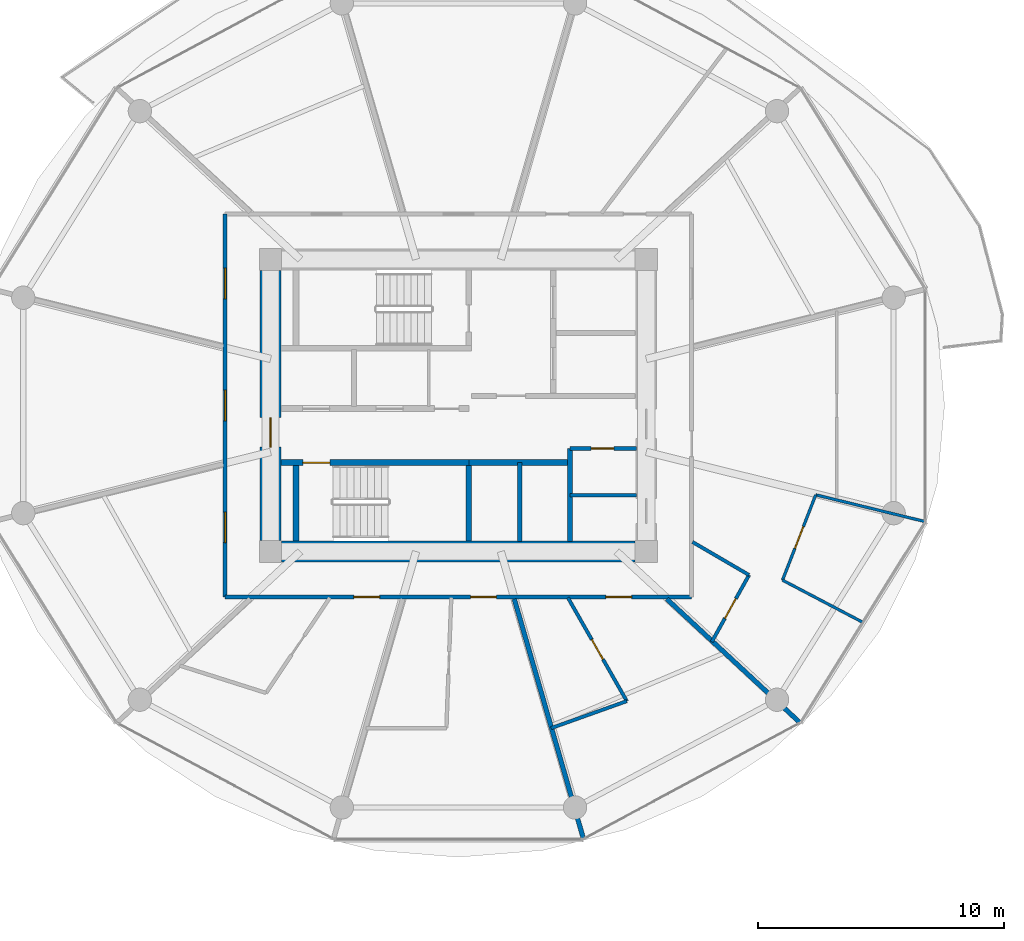
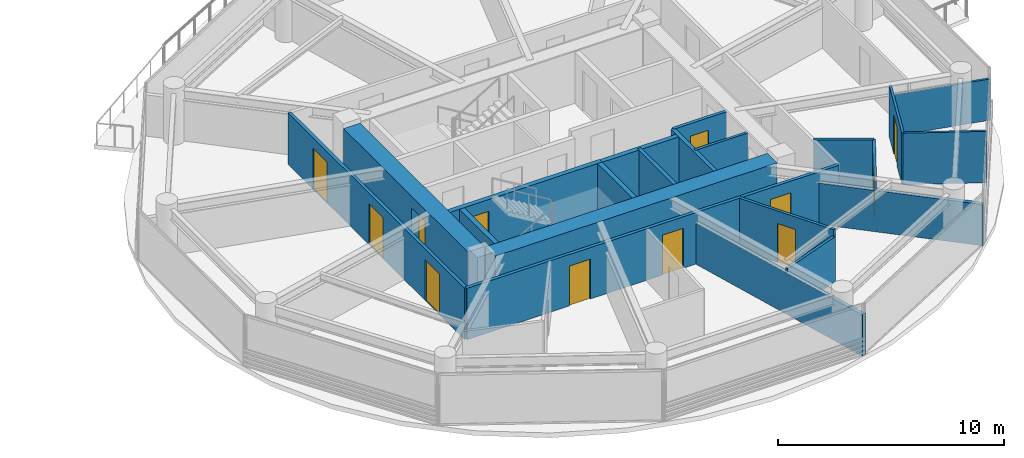
# One storey, part 18 of 26: 21 walls, 12 doors, 12 openings.
"""IFC4 building model written with IfcOpenShell, lengths in metres."""

from ifc_helpers import new_model, si_unit, direction, frame, frame_2d, origin, place, context, subcontext, project, spatial, rectangle, extrude, source, transform, mapped, material, layer, layer_set, type_object, type_shapes, element, fill, save


model = new_model("IFC4")

# Units and contexts
model_context = context("Model", 3, precision=1e-05, world=origin(), true_north=direction((0.0, 1.0)))
body_context = subcontext(model_context, "Body", "Model", "MODEL_VIEW")
ifc_project = project(units=[si_unit("LENGTHUNIT", "METRE"), si_unit("AREAUNIT", "SQUARE_METRE"), si_unit("VOLUMEUNIT", "CUBIC_METRE"), si_unit("PLANEANGLEUNIT", "RADIAN"), si_unit("MASSUNIT", "GRAM", prefix="KILO")], contexts=[model_context])

# Site, building, storey
site_placement = place(None, origin())
site = spatial("IfcSite", under=ifc_project, at=site_placement, CompositionType="ELEMENT")
building_placement = place(site_placement, origin())
building = spatial("IfcBuilding", under=site, at=building_placement, Name="Norrkilde Senior Care Towers", CompositionType="ELEMENT")
storey_placement = place(building_placement, frame((0.0, 0.0, 55.14990234375)))
storey = spatial("IfcBuildingStorey", under=building, at=storey_placement, Name="L16", CompositionType="ELEMENT", Elevation=55.14990234375)

# Wall
ifc_material_1 = material(Name="Concrete C60/75", Category="concrete")
ifc_layer_1 = layer(ifc_material_1, 0.85009765625)
ifc_layer_set_1 = layer_set([ifc_layer_1], Name="Concrete C60/75")
wall_type_1 = type_object("IfcWallType", Name="Core Shear Wall Z1 850", PredefinedType="SHEAR", material=ifc_layer_set_1)
shared_shape_1 = source(origin(), body_context, "Body", "SweptSolid", [
    extrude(rectangle(XDim=14.39990234375, YDim=0.85009765625, at=frame_2d((7.199951171875, 0.0))), origin(), (0.0, 0.0, 1.0), 2.7900390625),
])
wall_1_placement = place(storey_placement, frame((35.199951171875, -5.949951171875, 0.0), z_axis=(0.0, 0.0, 1.0), x_axis=(-1.0, 0.0, 0.0)))
element("IfcWall", 1, at=wall_1_placement, inside=storey, type_object=wall_type_1, Name="L16 Core E South Shear Wall", PredefinedType="SHEAR", context=body_context, shape_type="MappedRepresentation", body=[
    mapped(shared_shape_1, transform((0.0, 0.0, 0.0), x_axis=(1.0, 0.0, 0.0), y_axis=(0.0, 1.0, 0.0), z_axis=(0.0, 0.0, 1.0), scale=1.0)),
])

# Wall, opening, door
shared_shape_2 = source(origin(), body_context, "Body", "SweptSolid", [
    extrude(rectangle(XDim=11.0, YDim=0.85009765625, at=frame_2d((5.5, 0.0))), origin(), (0.0, 0.0, 1.0), 2.7900390625),
])
type_shapes(wall_type_1, [shared_shape_1, shared_shape_2])
wall_2_placement = place(storey_placement, frame((20.35009765625, -5.5, 0.0), z_axis=(0.0, 0.0, 1.0), x_axis=(0.0, 1.0, 0.0)))
wall_2 = element("IfcWall", 2, at=wall_2_placement, inside=storey, type_object=wall_type_1, Name="L16 Core E West Shear Wall", PredefinedType="SHEAR", context=body_context, shape_type="MappedRepresentation", body=[
    mapped(shared_shape_2, transform((0.0, 0.0, 0.0), x_axis=(1.0, 0.0, 0.0), y_axis=(0.0, 1.0, 0.0), z_axis=(0.0, 0.0, 1.0), scale=1.0)),
])
opening_1_placement = place(wall_2_placement, frame((3.800048828125, 0.0, 0.0)))
opening_1 = element("IfcOpeningElement", 3, at=opening_1_placement, cuts=wall_2, Name="Opening D-04", PredefinedType="OPENING", context=body_context, shape_type="SweptSolid", body=[
    extrude(rectangle(XDim=1.199951171875, YDim=2.14990234375, at=frame_2d((0.60009765625, 1.074951171875))), frame((0.0, 0.43505859375, 0.0), z_axis=(0.0, -1.0, 0.0), x_axis=(1.0, 0.0, 0.0)), (0.0, 0.0, 1.0), 0.8701171875),
])
ifc_material_2 = material(Name="Galvanised Painted Steel", Category="steel")
door_type_1 = type_object("IfcDoorType", Name="Firefighting Lobby Fire Door 1200x2150", OperationType="NOTDEFINED", PredefinedType="DOOR", material=ifc_material_2)
shared_shape_3 = source(origin(), body_context, "Body", "SweptSolid", [
    extrude(rectangle(XDim=1.199951171875, YDim=2.14990234375, at=frame_2d((0.60009765625, 1.074951171875))), frame((0.0, 0.02490234375, 0.0), z_axis=(0.0, -1.0, 0.0), x_axis=(1.0, 0.0, 0.0)), (0.0, 0.0, 1.0), 0.050048828125),
])
type_shapes(door_type_1, [shared_shape_3])
door_1_placement = place(opening_1_placement, frame((1.199951171875, 0.0, 0.0), z_axis=(0.0, 0.0, 1.0), x_axis=(-1.0, 0.0, 0.0)))
door_1 = element("IfcDoor", 4, at=door_1_placement, inside=storey, type_object=door_type_1, Name="L16 Core E West Portal Door", OperationType="SINGLE_SWING_LEFT", OverallHeight=2.14990234375, OverallWidth=1.199951171875, PredefinedType="DOOR", context=body_context, shape_type="MappedRepresentation", body=[
    mapped(shared_shape_3, transform((0.0, 0.0, 0.0), x_axis=(1.0, 0.0, 0.0), y_axis=(0.0, 1.0, 0.0), z_axis=(0.0, 0.0, 1.0), scale=1.0)),
])
fill(opening_1, door_1)

ifc_material_3 = material(Name="Concrete C45/55", Category="concrete")
ifc_layer_2 = layer(ifc_material_3, 0.239990234375)
ifc_layer_set_2 = layer_set([ifc_layer_2], Name="Concrete C45/55")
wall_type_2 = type_object("IfcWallType", Name="Shaft and Stair Enclosure Wall 240", PredefinedType="PARTITIONING", material=ifc_layer_set_2)
shared_shape_4 = source(origin(), body_context, "Body", "SweptSolid", [
    extrude(rectangle(XDim=7.76513671875, YDim=0.239990234375, at=frame_2d((3.882568359375, 0.0))), origin(), (0.0, 0.0, 1.0), 2.7900390625),
])
wall_3_placement = place(storey_placement, frame((20.77490234375, -2.330078125, 0.0), z_axis=(0.0, 0.0, 1.0), x_axis=(1.0, 0.0, 0.0)))
wall_3 = element("IfcWall", 5, at=wall_3_placement, inside=storey, type_object=wall_type_2, Name="WL-INT-L16-E-ST2N", PredefinedType="PARTITIONING", context=body_context, shape_type="MappedRepresentation", body=[
    mapped(shared_shape_4, transform((0.0, 0.0, 0.0), x_axis=(1.0, 0.0, 0.0), y_axis=(0.0, 1.0, 0.0), z_axis=(0.0, 0.0, 1.0), scale=1.0)),
])
opening_2_placement = place(wall_3_placement, frame((0.885009765625, 0.0, 0.0)))
opening_2 = element("IfcOpeningElement", 6, at=opening_2_placement, cuts=wall_3, Name="Opening D-03", PredefinedType="OPENING", context=body_context, shape_type="SweptSolid", body=[
    extrude(rectangle(XDim=1.10009765625, YDim=2.14990234375, at=frame_2d((0.550048828125, 1.074951171875))), frame((0.0, 0.1298828125, 0.0), z_axis=(0.0, -1.0, 0.0), x_axis=(1.0, 0.0, 0.0)), (0.0, 0.0, 1.0), 0.260009765625),
])
door_type_2 = type_object("IfcDoorType", Name="Stairwell Protected Fire Door 1100x2150", OperationType="NOTDEFINED", PredefinedType="DOOR", material=ifc_material_2)
shared_shape_5 = source(origin(), body_context, "Body", "SweptSolid", [
    extrude(rectangle(XDim=1.10009765625, YDim=2.14990234375, at=frame_2d((0.550048828125, 1.074951171875))), frame((0.0, 0.02490234375, 0.0), z_axis=(0.0, -1.0, 0.0), x_axis=(1.0, 0.0, 0.0)), (0.0, 0.0, 1.0), 0.050048828125),
])
type_shapes(door_type_2, [shared_shape_5])
door_2_placement = place(opening_2_placement, frame((1.10009765625, 0.0, 0.0), z_axis=(0.0, 0.0, 1.0), x_axis=(-1.0, 0.0, 0.0)))
door_2 = element("IfcDoor", 7, at=door_2_placement, inside=storey, type_object=door_type_2, Name="L16 Stair E2 Fire Door", OperationType="SINGLE_SWING_RIGHT", OverallHeight=2.14990234375, OverallWidth=1.10009765625, PredefinedType="DOOR", context=body_context, shape_type="MappedRepresentation", body=[
    mapped(shared_shape_5, transform((0.0, 0.0, 0.0), x_axis=(1.0, 0.0, 0.0), y_axis=(0.0, 1.0, 0.0), z_axis=(0.0, 0.0, 1.0), scale=1.0)),
])
fill(opening_2, door_2)

# Walls
shared_shape_6 = source(origin(), body_context, "Body", "SweptSolid", [
    extrude(rectangle(XDim=3.074951171875, YDim=0.239990234375, at=frame_2d((1.53759765625, 0.0))), origin(), (0.0, 0.0, 1.0), 2.7900390625),
])
type_shapes(wall_type_2, [shared_shape_4, shared_shape_6])
for number, where, z_axis, x_axis, name in (
    (8, (21.3798828125, -5.52490234375, 0.0), (0.0, 0.0, 1.0), (0.0, 1.0, 0.0), "WL-INT-L16-E-ST2W"),
    (9, (28.419921875, -5.52490234375, 0.0), (0.0, 0.0, 1.0), (0.0, 1.0, 0.0), "WL-INT-L16-E-ST2E"),
):
    element("IfcWall", number, at=place(storey_placement, frame(where, z_axis=z_axis, x_axis=x_axis)), inside=storey, type_object=wall_type_2, Name=name, PredefinedType="PARTITIONING", context=body_context, shape_type="MappedRepresentation", body=[
        mapped(shared_shape_6, transform((0.0, 0.0, 0.0), x_axis=(1.0, 0.0, 0.0), y_axis=(0.0, 1.0, 0.0), z_axis=(0.0, 0.0, 1.0), scale=1.0)),
    ])
ifc_layer_3 = layer(ifc_material_3, 0.199951171875)
ifc_layer_set_3 = layer_set([ifc_layer_3], Name="Concrete C45/55")
wall_type_3 = type_object("IfcWallType", Name="Shaft Division and Plant Partition 200", PredefinedType="PARTITIONING", material=ifc_layer_set_3)
shared_shape_7 = source(origin(), body_context, "Body", "SweptSolid", [
    extrude(rectangle(XDim=3.800048828125, YDim=0.199951171875, at=frame_2d((1.89990234375, 0.0))), origin(), (0.0, 0.0, 1.0), 2.775146484375),
])
type_shapes(wall_type_3, [shared_shape_7])
wall_4_placement = place(storey_placement, frame((32.550048828125, -5.550048828125, 0.0), z_axis=(0.0, 0.0, 1.0), x_axis=(0.0, 1.0, 0.0)))
element("IfcWall", 10, at=wall_4_placement, inside=storey, type_object=wall_type_3, Name="WL-INT-L16-E-PKBE", PredefinedType="PARTITIONING", context=body_context, shape_type="MappedRepresentation", body=[
    mapped(shared_shape_7, transform((0.0, 0.0, 0.0), x_axis=(1.0, 0.0, 0.0), y_axis=(0.0, 1.0, 0.0), z_axis=(0.0, 0.0, 1.0), scale=1.0)),
])
ifc_layer_4 = layer(ifc_material_3, 0.239990234375)
ifc_layer_set_4 = layer_set([ifc_layer_4], Name="Concrete C45/55")
wall_type_4 = type_object("IfcWallType", Name="Lift and Plant Rated Enclosure Partition 240", PredefinedType="PARTITIONING", material=ifc_layer_set_4)
shared_shape_8 = source(origin(), body_context, "Body", "SweptSolid", [
    extrude(rectangle(XDim=4.130126953125, YDim=0.239990234375, at=frame_2d((2.06494140625, 0.0))), origin(), (0.0, 0.0, 1.0), 2.775146484375),
])
type_shapes(wall_type_4, [shared_shape_8])
wall_5_placement = place(storey_placement, frame((28.419921875, -2.330078125, 0.0), z_axis=(0.0, 0.0, 1.0), x_axis=(1.0, 0.0, 0.0)))
element("IfcWall", 11, at=wall_5_placement, inside=storey, type_object=wall_type_4, Name="WL-INT-L16-E-PKBN", PredefinedType="PARTITIONING", context=body_context, shape_type="MappedRepresentation", body=[
    mapped(shared_shape_8, transform((0.0, 0.0, 0.0), x_axis=(1.0, 0.0, 0.0), y_axis=(0.0, 1.0, 0.0), z_axis=(0.0, 0.0, 1.0), scale=1.0)),
])
ifc_layer_5 = layer(ifc_material_3, 0.179931640625)
ifc_layer_set_5 = layer_set([ifc_layer_5], Name="Concrete C45/55")
wall_type_5 = type_object("IfcWallType", Name="Hoistway Division Rated Partition 180", PredefinedType="PARTITIONING", material=ifc_layer_set_5)
shared_shape_9 = source(origin(), body_context, "Body", "SweptSolid", [
    extrude(rectangle(XDim=3.219970703125, YDim=0.179931640625, at=frame_2d((1.60986328125, 0.0))), origin(), (0.0, 0.0, 1.0), 2.775146484375),
])
type_shapes(wall_type_5, [shared_shape_9])
wall_6_placement = place(storey_placement, frame((30.5, -5.550048828125, 0.0), z_axis=(0.0, 0.0, 1.0), x_axis=(0.0, 1.0, 0.0)))
element("IfcWall", 12, at=wall_6_placement, inside=storey, type_object=wall_type_5, Name="WL-INT-L16-E-PL34", PredefinedType="PARTITIONING", context=body_context, shape_type="MappedRepresentation", body=[
    mapped(shared_shape_9, transform((0.0, 0.0, 0.0), x_axis=(1.0, 0.0, 0.0), y_axis=(0.0, 1.0, 0.0), z_axis=(0.0, 0.0, 1.0), scale=1.0)),
])

# Wall, opening, door
ifc_material_4 = material(Name="Gypsum Acoustic Board")
ifc_layer_6 = layer(ifc_material_4, 0.1650390625)
ifc_layer_set_6 = layer_set([ifc_layer_6], Name="Gypsum Acoustic Board")
wall_type_6 = type_object("IfcWallType", Name="Corridor Rated Partition 165", PredefinedType="PARTITIONING", material=ifc_layer_set_6)
shared_shape_10 = source(origin(), body_context, "Body", "SweptSolid", [
    extrude(rectangle(XDim=2.699951171875, YDim=0.1650390625, at=frame_2d((1.35009765625, 0.0))), origin(), (0.0, 0.0, 1.0), 2.775146484375),
])
wall_7_placement = place(storey_placement, frame((32.550048828125, -1.75, 0.0), z_axis=(0.0, 0.0, 1.0), x_axis=(1.0, 0.0, 0.0)))
wall_7 = element("IfcWall", 13, at=wall_7_placement, inside=storey, type_object=wall_type_6, Name="WL-INT-L16-E-CSN", PredefinedType="PARTITIONING", context=body_context, shape_type="MappedRepresentation", body=[
    mapped(shared_shape_10, transform((0.0, 0.0, 0.0), x_axis=(1.0, 0.0, 0.0), y_axis=(0.0, 1.0, 0.0), z_axis=(0.0, 0.0, 1.0), scale=1.0)),
])
opening_3_placement = place(wall_7_placement, frame((0.85009765625, 0.0, 0.0)))
opening_3 = element("IfcOpeningElement", 14, at=opening_3_placement, cuts=wall_7, Name="Opening D-12", PredefinedType="OPENING", context=body_context, shape_type="SweptSolid", body=[
    extrude(rectangle(XDim=0.925048828125, YDim=2.10009765625, at=frame_2d((0.46240234375, 1.050048828125))), frame((0.0, 0.092529296875, 0.0), z_axis=(0.0, -1.0, 0.0), x_axis=(1.0, 0.0, 0.0)), (0.0, 0.0, 1.0), 0.18505859375),
])
door_type_3 = type_object("IfcDoorType", Name="Core Wet Room Rated Door 925x2100", OperationType="NOTDEFINED", PredefinedType="DOOR", material=ifc_material_2)
shared_shape_11 = source(origin(), body_context, "Body", "SweptSolid", [
    extrude(rectangle(XDim=0.925048828125, YDim=2.10009765625, at=frame_2d((0.46240234375, 1.050048828125))), frame((0.0, 0.02490234375, 0.0), z_axis=(0.0, -1.0, 0.0), x_axis=(1.0, 0.0, 0.0)), (0.0, 0.0, 1.0), 0.050048828125),
])
type_shapes(door_type_3, [shared_shape_11])
door_3_placement = place(opening_3_placement, origin())
door_3 = element("IfcDoor", 15, at=door_3_placement, inside=storey, type_object=door_type_3, Name="L16 Staff WC E Door", OperationType="SINGLE_SWING_LEFT", OverallHeight=2.10009765625, OverallWidth=0.925048828125, PredefinedType="DOOR", context=body_context, shape_type="MappedRepresentation", body=[
    mapped(shared_shape_11, transform((0.0, 0.0, 0.0), x_axis=(1.0, 0.0, 0.0), y_axis=(0.0, 1.0, 0.0), z_axis=(0.0, 0.0, 1.0), scale=1.0)),
])
fill(opening_3, door_3)

# Wall, openings, doors
shared_shape_12 = source(origin(), body_context, "Body", "SweptSolid", [
    extrude(rectangle(XDim=19.0, YDim=0.1650390625, at=frame_2d((9.5, 0.0))), origin(), (0.0, 0.0, 1.0), 2.775146484375),
])
wall_8_placement = place(storey_placement, frame((37.5, -7.800048828125, 0.0), z_axis=(0.0, 0.0, 1.0), x_axis=(-1.0, 0.0, 0.0)))
wall_8 = element("IfcWall", 16, at=wall_8_placement, inside=storey, type_object=wall_type_6, Name="WL-INT-L16-E-CRW-S-0", PredefinedType="PARTITIONING", context=body_context, shape_type="MappedRepresentation", body=[
    mapped(shared_shape_12, transform((0.0, 0.0, 0.0), x_axis=(1.0, 0.0, 0.0), y_axis=(0.0, 1.0, 0.0), z_axis=(0.0, 0.0, 1.0), scale=1.0)),
])
opening_4_placement = place(wall_8_placement, frame((12.705810546875, 0.0, 0.0)))
opening_4 = element("IfcOpeningElement", 17, at=opening_4_placement, cuts=wall_8, Name="Opening D-06", PredefinedType="OPENING", context=body_context, shape_type="SweptSolid", body=[
    extrude(rectangle(XDim=1.050048828125, YDim=2.14990234375, at=frame_2d((0.52490234375, 1.074951171875))), frame((0.0, 0.092529296875, 0.0), z_axis=(0.0, -1.0, 0.0), x_axis=(1.0, 0.0, 0.0)), (0.0, 0.0, 1.0), 0.18505859375),
])
opening_5_placement = place(wall_8_placement, frame((7.958740234375, 0.0, 0.0)))
opening_5 = element("IfcOpeningElement", 18, at=opening_5_placement, cuts=wall_8, Name="Opening D-06", PredefinedType="OPENING", context=body_context, shape_type="SweptSolid", body=[
    extrude(rectangle(XDim=1.050048828125, YDim=2.14990234375, at=frame_2d((0.52490234375, 1.074951171875))), frame((0.0, 0.092529296875, 0.0), z_axis=(0.0, -1.0, 0.0), x_axis=(1.0, 0.0, 0.0)), (0.0, 0.0, 1.0), 0.18505859375),
])
opening_6_placement = place(wall_8_placement, frame((2.45068359375, 0.0, 0.0)))
opening_6 = element("IfcOpeningElement", 19, at=opening_6_placement, cuts=wall_8, Name="Opening D-06", PredefinedType="OPENING", context=body_context, shape_type="SweptSolid", body=[
    extrude(rectangle(XDim=1.050048828125, YDim=2.14990234375, at=frame_2d((0.52490234375, 1.074951171875))), frame((0.0, 0.092529296875, 0.0), z_axis=(0.0, -1.0, 0.0), x_axis=(1.0, 0.0, 0.0)), (0.0, 0.0, 1.0), 0.18505859375),
])
ifc_material_5 = material(Name="Nordic Ash Timber", Category="wood")
door_type_4 = type_object("IfcDoorType", Name="Apartment Entrance Fire Door 1050x2150", OperationType="NOTDEFINED", PredefinedType="DOOR", material=ifc_material_5)
shared_shape_13 = source(origin(), body_context, "Body", "SweptSolid", [
    extrude(rectangle(XDim=1.050048828125, YDim=2.14990234375, at=frame_2d((0.52490234375, 1.074951171875))), frame((0.0, 0.02490234375, 0.0), z_axis=(0.0, -1.0, 0.0), x_axis=(1.0, 0.0, 0.0)), (0.0, 0.0, 1.0), 0.050048828125),
])
type_shapes(door_type_4, [shared_shape_13])
door_4_placement = place(opening_4_placement, frame((1.050048828125, 0.0, 0.0), z_axis=(0.0, 0.0, 1.0), x_axis=(-1.0, 0.0, 0.0)))
door_4 = element("IfcDoor", 20, at=door_4_placement, inside=storey, type_object=door_type_4, Name="L16 Studio 16D Entrance Door", OperationType="SINGLE_SWING_RIGHT", OverallHeight=2.14990234375, OverallWidth=1.050048828125, PredefinedType="DOOR", context=body_context, shape_type="MappedRepresentation", body=[
    mapped(shared_shape_13, transform((0.0, 0.0, 0.0), x_axis=(1.0, 0.0, 0.0), y_axis=(0.0, 1.0, 0.0), z_axis=(0.0, 0.0, 1.0), scale=1.0)),
])
fill(opening_4, door_4)
door_5_placement = place(opening_5_placement, frame((1.050048828125, 0.0, 0.0), z_axis=(0.0, 0.0, 1.0), x_axis=(-1.0, 0.0, 0.0)))
door_5 = element("IfcDoor", 21, at=door_5_placement, inside=storey, type_object=door_type_4, Name="L16 Studio 16E Entrance Door", OperationType="SINGLE_SWING_LEFT", OverallHeight=2.14990234375, OverallWidth=1.050048828125, PredefinedType="DOOR", context=body_context, shape_type="MappedRepresentation", body=[
    mapped(shared_shape_13, transform((0.0, 0.0, 0.0), x_axis=(1.0, 0.0, 0.0), y_axis=(0.0, 1.0, 0.0), z_axis=(0.0, 0.0, 1.0), scale=1.0)),
])
fill(opening_5, door_5)
door_6_placement = place(opening_6_placement, frame((1.050048828125, 0.0, 0.0), z_axis=(0.0, 0.0, 1.0), x_axis=(-1.0, 0.0, 0.0)))
door_6 = element("IfcDoor", 22, at=door_6_placement, inside=storey, type_object=door_type_4, Name="L16 Studio 16F Entrance Door", OperationType="SINGLE_SWING_RIGHT", OverallHeight=2.14990234375, OverallWidth=1.050048828125, PredefinedType="DOOR", context=body_context, shape_type="MappedRepresentation", body=[
    mapped(shared_shape_13, transform((0.0, 0.0, 0.0), x_axis=(1.0, 0.0, 0.0), y_axis=(0.0, 1.0, 0.0), z_axis=(0.0, 0.0, 1.0), scale=1.0)),
])
fill(opening_6, door_6)

shared_shape_14 = source(origin(), body_context, "Body", "SweptSolid", [
    extrude(rectangle(XDim=15.60009765625, YDim=0.1650390625, at=frame_2d((7.800048828125, 0.0))), origin(), (0.0, 0.0, 1.0), 2.775146484375),
])
type_shapes(wall_type_6, [shared_shape_10, shared_shape_12, shared_shape_14])
wall_9_placement = place(storey_placement, frame((18.5, -7.800048828125, 0.0), z_axis=(0.0, 0.0, 1.0), x_axis=(0.0, 1.0, 0.0)))
wall_9 = element("IfcWall", 23, at=wall_9_placement, inside=storey, type_object=wall_type_6, Name="WL-INT-L16-E-CRW-W-0", PredefinedType="PARTITIONING", context=body_context, shape_type="MappedRepresentation", body=[
    mapped(shared_shape_14, transform((0.0, 0.0, 0.0), x_axis=(1.0, 0.0, 0.0), y_axis=(0.0, 1.0, 0.0), z_axis=(0.0, 0.0, 1.0), scale=1.0)),
])
opening_7_placement = place(wall_9_placement, frame((12.141357421875, 0.0, 0.0)))
opening_7 = element("IfcOpeningElement", 24, at=opening_7_placement, cuts=wall_9, Name="Opening D-05", PredefinedType="OPENING", context=body_context, shape_type="SweptSolid", body=[
    extrude(rectangle(XDim=1.25, YDim=2.199951171875, at=frame_2d((0.625, 1.10009765625))), frame((0.0, 0.092529296875, 0.0), z_axis=(0.0, -1.0, 0.0), x_axis=(1.0, 0.0, 0.0)), (0.0, 0.0, 1.0), 0.18505859375),
])
opening_8_placement = place(wall_9_placement, frame((7.175048828125, 0.0, 0.0)))
opening_8 = element("IfcOpeningElement", 25, at=opening_8_placement, cuts=wall_9, Name="Opening D-05", PredefinedType="OPENING", context=body_context, shape_type="SweptSolid", body=[
    extrude(rectangle(XDim=1.25, YDim=2.199951171875, at=frame_2d((0.625, 1.10009765625))), frame((0.0, 0.092529296875, 0.0), z_axis=(0.0, -1.0, 0.0), x_axis=(1.0, 0.0, 0.0)), (0.0, 0.0, 1.0), 0.18505859375),
])
opening_9_placement = place(wall_9_placement, frame((2.20849609375, 0.0, 0.0)))
opening_9 = element("IfcOpeningElement", 26, at=opening_9_placement, cuts=wall_9, Name="Opening D-05", PredefinedType="OPENING", context=body_context, shape_type="SweptSolid", body=[
    extrude(rectangle(XDim=1.25, YDim=2.199951171875, at=frame_2d((0.625, 1.10009765625))), frame((0.0, 0.092529296875, 0.0), z_axis=(0.0, -1.0, 0.0), x_axis=(1.0, 0.0, 0.0)), (0.0, 0.0, 1.0), 0.18505859375),
])
door_type_5 = type_object("IfcDoorType", Name="Care Bedroom Bariatric Door 1250x2200", OperationType="NOTDEFINED", PredefinedType="DOOR", material=ifc_material_5)
shared_shape_15 = source(origin(), body_context, "Body", "SweptSolid", [
    extrude(rectangle(XDim=1.25, YDim=2.199951171875, at=frame_2d((0.625, 1.10009765625))), frame((0.0, 0.02490234375, 0.0), z_axis=(0.0, -1.0, 0.0), x_axis=(1.0, 0.0, 0.0)), (0.0, 0.0, 1.0), 0.050048828125),
])
type_shapes(door_type_5, [shared_shape_15])
door_7_placement = place(opening_7_placement, frame((1.25, 0.0, 0.0), z_axis=(0.0, 0.0, 1.0), x_axis=(-1.0, 0.0, 0.0)))
door_7 = element("IfcDoor", 27, at=door_7_placement, inside=storey, type_object=door_type_5, Name="L16 Resident Therapeutic Day Lounge Door", OperationType="SINGLE_SWING_LEFT", OverallHeight=2.199951171875, OverallWidth=1.25, PredefinedType="DOOR", context=body_context, shape_type="MappedRepresentation", body=[
    mapped(shared_shape_15, transform((0.0, 0.0, 0.0), x_axis=(1.0, 0.0, 0.0), y_axis=(0.0, 1.0, 0.0), z_axis=(0.0, 0.0, 1.0), scale=1.0)),
])
fill(opening_7, door_7)
door_8_placement = place(opening_8_placement, frame((1.25, 0.0, 0.0), z_axis=(0.0, 0.0, 1.0), x_axis=(-1.0, 0.0, 0.0)))
door_8 = element("IfcDoor", 28, at=door_8_placement, inside=storey, type_object=door_type_5, Name="L16 Household Communal Dining Salon Door", OperationType="SINGLE_SWING_RIGHT", OverallHeight=2.199951171875, OverallWidth=1.25, PredefinedType="DOOR", context=body_context, shape_type="MappedRepresentation", body=[
    mapped(shared_shape_15, transform((0.0, 0.0, 0.0), x_axis=(1.0, 0.0, 0.0), y_axis=(0.0, 1.0, 0.0), z_axis=(0.0, 0.0, 1.0), scale=1.0)),
])
fill(opening_8, door_8)
door_9_placement = place(opening_9_placement, frame((1.25, 0.0, 0.0), z_axis=(0.0, 0.0, 1.0), x_axis=(-1.0, 0.0, 0.0)))
door_9 = element("IfcDoor", 29, at=door_9_placement, inside=storey, type_object=door_type_5, Name="L16 Household Therapeutic Kitchen Door", OperationType="SINGLE_SWING_LEFT", OverallHeight=2.199951171875, OverallWidth=1.25, PredefinedType="DOOR", context=body_context, shape_type="MappedRepresentation", body=[
    mapped(shared_shape_15, transform((0.0, 0.0, 0.0), x_axis=(1.0, 0.0, 0.0), y_axis=(0.0, 1.0, 0.0), z_axis=(0.0, 0.0, 1.0), scale=1.0)),
])
fill(opening_9, door_9)

# Walls
ifc_layer_7 = layer(ifc_material_4, 0.18994140625)
ifc_layer_set_7 = layer_set([ifc_layer_7], Name="Gypsum Acoustic Board")
wall_type_7 = type_object("IfcWallType", Name="Unit Demising Acoustic Wall 190", PredefinedType="PARTITIONING", material=ifc_layer_set_7)
shared_shape_16 = source(origin(), body_context, "Body", "SweptSolid", [
    extrude(rectangle(XDim=7.4345703125, YDim=0.18994140625, at=frame_2d((3.71728515625, 0.0))), origin(), (0.0, 0.0, 1.0), 2.22509765625),
])
wall_10_placement = place(storey_placement, frame((36.48291015625, -7.8798828125, 0.0), z_axis=(0.0, 0.0, 1.0), x_axis=(0.732651956848, -0.680603489652, 0.0)))
element("IfcWall", 30, at=wall_10_placement, inside=storey, type_object=wall_type_7, Name="WL-INT-L16-E-DEM-10-0", PredefinedType="PARTITIONING", context=body_context, shape_type="MappedRepresentation", body=[
    mapped(shared_shape_16, transform((0.0, 0.0, 0.0), x_axis=(1.0, 0.0, 0.0), y_axis=(0.0, 1.0, 0.0), z_axis=(0.0, 0.0, 1.0), scale=1.0)),
])
shared_shape_17 = source(origin(), body_context, "Body", "SweptSolid", [
    extrude(rectangle(XDim=10.196044921875, YDim=0.18994140625, at=frame_2d((5.09814453125, 0.0))), origin(), (0.0, 0.0, 1.0), 2.22509765625),
])
type_shapes(wall_type_7, [shared_shape_16, shared_shape_17])
wall_11_placement = place(storey_placement, frame((30.27294921875, -7.8798828125, 0.0), z_axis=(0.0, 0.0, 1.0), x_axis=(0.277136420347, -0.960830580549, 0.0)))
element("IfcWall", 31, at=wall_11_placement, inside=storey, type_object=wall_type_7, Name="WL-INT-L16-E-DEM-09-0", PredefinedType="PARTITIONING", context=body_context, shape_type="MappedRepresentation", body=[
    mapped(shared_shape_17, transform((0.0, 0.0, 0.0), x_axis=(1.0, 0.0, 0.0), y_axis=(0.0, 1.0, 0.0), z_axis=(0.0, 0.0, 1.0), scale=1.0)),
])
ifc_layer_8 = layer(ifc_material_4, 0.139892578125)
ifc_layer_set_8 = layer_set([ifc_layer_8], Name="Gypsum Acoustic Board")
wall_type_8 = type_object("IfcWallType", Name="En-suite Wet Room Wall 140", PredefinedType="PARTITIONING", material=ifc_layer_set_8)
shared_shape_18 = source(origin(), body_context, "Body", "SweptSolid", [
    extrude(rectangle(XDim=2.699951171875, YDim=0.139892578125, at=frame_2d((1.35009765625, 0.0))), origin(), (0.0, 0.0, 1.0), 2.775146484375),
])
wall_12_placement = place(storey_placement, frame((32.550048828125, -3.64990234375, 0.0), z_axis=(0.0, 0.0, 1.0), x_axis=(1.0, 0.0, 0.0)))
element("IfcWall", 32, at=wall_12_placement, inside=storey, type_object=wall_type_8, Name="WL-INT-L16-E-CS2H", PredefinedType="PARTITIONING", context=body_context, shape_type="MappedRepresentation", body=[
    mapped(shared_shape_18, transform((0.0, 0.0, 0.0), x_axis=(1.0, 0.0, 0.0), y_axis=(0.0, 1.0, 0.0), z_axis=(0.0, 0.0, 1.0), scale=1.0)),
])
ifc_layer_9 = layer(ifc_material_4, 0.114990234375)
ifc_layer_set_9 = layer_set([ifc_layer_9], Name="Gypsum Acoustic Board")
wall_type_9 = type_object("IfcWallType", Name="Internal Room Partition 115", PredefinedType="PARTITIONING", material=ifc_layer_set_9)
shared_shape_19 = source(origin(), body_context, "Body", "SweptSolid", [
    extrude(rectangle(XDim=3.706298828125, YDim=0.114990234375, at=frame_2d((1.85302734375, 0.0))), origin(), (0.0, 0.0, 1.0), 2.775146484375),
])
wall_13_placement = place(storey_placement, frame((41.197998046875, -7.115234375, 0.0), z_axis=(0.0, 0.0, 1.0), x_axis=(0.88538502503, -0.464858427322, 0.0)))
element("IfcWall", 33, at=wall_13_placement, inside=storey, type_object=wall_type_9, Name="WL-INT-L16-E-UKTS-10", PredefinedType="PARTITIONING", context=body_context, shape_type="MappedRepresentation", body=[
    mapped(shared_shape_19, transform((0.0, 0.0, 0.0), x_axis=(1.0, 0.0, 0.0), y_axis=(0.0, 1.0, 0.0), z_axis=(0.0, 0.0, 1.0), scale=1.0)),
])
shared_shape_20 = source(origin(), body_context, "Body", "SweptSolid", [
    extrude(rectangle(XDim=3.276123046875, YDim=0.139892578125, at=frame_2d((1.63818359375, 0.0))), origin(), (0.0, 0.0, 1.0), 2.4150390625),
])
wall_14_placement = place(storey_placement, frame((34.856689453125, -12.04150390625, 0.0), z_axis=(0.0, 0.0, 1.0), x_axis=(-0.94174696961, -0.336322234221, 0.0)))
element("IfcWall", 34, at=wall_14_placement, inside=storey, type_object=wall_type_8, Name="WL-INT-L16-E-EF-09", PredefinedType="PARTITIONING", context=body_context, shape_type="MappedRepresentation", body=[
    mapped(shared_shape_20, transform((0.0, 0.0, 0.0), x_axis=(1.0, 0.0, 0.0), y_axis=(0.0, 1.0, 0.0), z_axis=(0.0, 0.0, 1.0), scale=1.0)),
])

# Wall, opening, door
shared_shape_21 = source(origin(), body_context, "Body", "SweptSolid", [
    extrude(rectangle(XDim=4.846435546875, YDim=0.139892578125, at=frame_2d((2.42333984375, 0.0))), origin(), (0.0, 0.0, 1.0), 2.775146484375),
])
wall_15_placement = place(storey_placement, frame((32.45849609375, -7.830078125, 0.0), z_axis=(0.0, 0.0, 1.0), x_axis=(0.494841788743, -0.868983086207, 0.0)))
wall_15 = element("IfcWall", 35, at=wall_15_placement, inside=storey, type_object=wall_type_8, Name="WL-INT-L16-E-ES-09", PredefinedType="PARTITIONING", context=body_context, shape_type="MappedRepresentation", body=[
    mapped(shared_shape_21, transform((0.0, 0.0, 0.0), x_axis=(1.0, 0.0, 0.0), y_axis=(0.0, 1.0, 0.0), z_axis=(0.0, 0.0, 1.0), scale=1.0)),
])
opening_10_placement = place(wall_15_placement, frame((1.963134765625, 0.0, 0.0)))
opening_10 = element("IfcOpeningElement", 36, at=opening_10_placement, cuts=wall_15, Name="Opening D-08", PredefinedType="OPENING", context=body_context, shape_type="SweptSolid", body=[
    extrude(rectangle(XDim=0.919921875, YDim=2.10009765625, at=frame_2d((0.4599609375, 1.050048828125))), frame((0.0, 0.079833984375, 0.0), z_axis=(0.0, -1.0, 0.0), x_axis=(1.0, 0.0, 0.0)), (0.0, 0.0, 1.0), 0.159912109375),
])
door_type_6 = type_object("IfcDoorType", Name="Accessible Wet Room Door 920x2100", OperationType="NOTDEFINED", PredefinedType="DOOR", material=ifc_material_5)
shared_shape_22 = source(origin(), body_context, "Body", "SweptSolid", [
    extrude(rectangle(XDim=0.919921875, YDim=2.10009765625, at=frame_2d((0.4599609375, 1.050048828125))), frame((0.0, 0.02490234375, 0.0), z_axis=(0.0, -1.0, 0.0), x_axis=(1.0, 0.0, 0.0)), (0.0, 0.0, 1.0), 0.050048828125),
])
type_shapes(door_type_6, [shared_shape_22])
door_10_placement = place(opening_10_placement, origin())
door_10 = element("IfcDoor", 37, at=door_10_placement, inside=storey, type_object=door_type_6, Name="L16 Studio 16F Bathroom Door", OperationType="SINGLE_SWING_LEFT", OverallHeight=2.10009765625, OverallWidth=0.919921875, PredefinedType="DOOR", context=body_context, shape_type="MappedRepresentation", body=[
    mapped(shared_shape_22, transform((0.0, 0.0, 0.0), x_axis=(1.0, 0.0, 0.0), y_axis=(0.0, 1.0, 0.0), z_axis=(0.0, 0.0, 1.0), scale=1.0)),
])
fill(opening_10, door_10)

# Walls
shared_shape_23 = source(origin(), body_context, "Body", "SweptSolid", [
    extrude(rectangle(XDim=4.607666015625, YDim=0.114990234375, at=frame_2d((2.3037109375, 0.0))), origin(), (0.0, 0.0, 1.0), 2.22509765625),
])
wall_16_placement = place(storey_placement, frame((42.55322265625, -3.641357421875, 0.0), z_axis=(0.0, 0.0, 1.0), x_axis=(0.97135200068, -0.237645304552, 0.0)))
element("IfcWall", 38, at=wall_16_placement, inside=storey, type_object=wall_type_9, Name="WL-INT-L16-E-UBR-10-1", PredefinedType="PARTITIONING", context=body_context, shape_type="MappedRepresentation", body=[
    mapped(shared_shape_23, transform((0.0, 0.0, 0.0), x_axis=(1.0, 0.0, 0.0), y_axis=(0.0, 1.0, 0.0), z_axis=(0.0, 0.0, 1.0), scale=1.0)),
])
shared_shape_24 = source(origin(), body_context, "Body", "SweptSolid", [
    extrude(rectangle(XDim=2.66943359375, YDim=0.139892578125, at=frame_2d((1.334716796875, 0.0))), origin(), (0.0, 0.0, 1.0), 2.775146484375),
])
wall_17_placement = place(storey_placement, frame((37.530029296875, -5.560546875, 0.0), z_axis=(0.0, 0.0, 1.0), x_axis=(0.86369928178, -0.50400749067, 0.0)))
element("IfcWall", 39, at=wall_17_placement, inside=storey, type_object=wall_type_8, Name="WL-INT-L16-E-UBTS-10", PredefinedType="PARTITIONING", context=body_context, shape_type="MappedRepresentation", body=[
    mapped(shared_shape_24, transform((0.0, 0.0, 0.0), x_axis=(1.0, 0.0, 0.0), y_axis=(0.0, 1.0, 0.0), z_axis=(0.0, 0.0, 1.0), scale=1.0)),
])

# Wall, opening, door
shared_shape_25 = source(origin(), body_context, "Body", "SweptSolid", [
    extrude(rectangle(XDim=3.121337890625, YDim=0.139892578125, at=frame_2d((1.560546875, 0.0))), origin(), (0.0, 0.0, 1.0), 2.775146484375),
])
type_shapes(wall_type_8, [shared_shape_18, shared_shape_20, shared_shape_21, shared_shape_24, shared_shape_25])
wall_18_placement = place(storey_placement, frame((39.835693359375, -6.906005859375, 0.0), z_axis=(0.0, 0.0, 1.0), x_axis=(-0.487302357327, -0.873233309342, 0.0)))
wall_18 = element("IfcWall", 40, at=wall_18_placement, inside=storey, type_object=wall_type_8, Name="WL-INT-L16-E-UBTF-10", PredefinedType="PARTITIONING", context=body_context, shape_type="MappedRepresentation", body=[
    mapped(shared_shape_25, transform((0.0, 0.0, 0.0), x_axis=(1.0, 0.0, 0.0), y_axis=(0.0, 1.0, 0.0), z_axis=(0.0, 0.0, 1.0), scale=1.0)),
])
opening_11_placement = place(wall_18_placement, frame((1.1005859375, 0.0, 0.0)))
opening_11 = element("IfcOpeningElement", 41, at=opening_11_placement, cuts=wall_18, Name="Opening D-08", PredefinedType="OPENING", context=body_context, shape_type="SweptSolid", body=[
    extrude(rectangle(XDim=0.919921875, YDim=2.10009765625, at=frame_2d((0.4599609375, 1.050048828125))), frame((0.0, 0.079833984375, 0.0), z_axis=(0.0, -1.0, 0.0), x_axis=(1.0, 0.0, 0.0)), (0.0, 0.0, 1.0), 0.159912109375),
])
door_11_placement = place(opening_11_placement, origin())
door_11 = element("IfcDoor", 42, at=door_11_placement, inside=storey, type_object=door_type_6, Name="Apartment 16G Bathroom Door", OperationType="SINGLE_SWING_RIGHT", OverallHeight=2.10009765625, OverallWidth=0.919921875, PredefinedType="DOOR", context=body_context, shape_type="MappedRepresentation", body=[
    mapped(shared_shape_22, transform((0.0, 0.0, 0.0), x_axis=(1.0, 0.0, 0.0), y_axis=(0.0, 1.0, 0.0), z_axis=(0.0, 0.0, 1.0), scale=1.0)),
])
fill(opening_11, door_11)

shared_shape_26 = source(origin(), body_context, "Body", "SweptSolid", [
    extrude(rectangle(XDim=3.728759765625, YDim=0.114990234375, at=frame_2d((1.8642578125, 0.0))), origin(), (0.0, 0.0, 1.0), 2.775146484375),
])
type_shapes(wall_type_9, [shared_shape_19, shared_shape_23, shared_shape_26])
wall_19_placement = place(storey_placement, frame((41.197998046875, -7.115234375, 0.0), z_axis=(0.0, 0.0, 1.0), x_axis=(0.363055991464, 0.93176732453, 0.0)))
wall_19 = element("IfcWall", 43, at=wall_19_placement, inside=storey, type_object=wall_type_9, Name="WL-INT-L16-E-UKTF-10", PredefinedType="PARTITIONING", context=body_context, shape_type="MappedRepresentation", body=[
    mapped(shared_shape_26, transform((0.0, 0.0, 0.0), x_axis=(1.0, 0.0, 0.0), y_axis=(0.0, 1.0, 0.0), z_axis=(0.0, 0.0, 1.0), scale=1.0)),
])
opening_12_placement = place(wall_19_placement, frame((1.389404296875, 0.0, 0.0)))
opening_12 = element("IfcOpeningElement", 44, at=opening_12_placement, cuts=wall_19, Name="Opening D-07", PredefinedType="OPENING", context=body_context, shape_type="SweptSolid", body=[
    extrude(rectangle(XDim=0.949951171875, YDim=2.10009765625, at=frame_2d((0.47509765625, 1.050048828125))), frame((0.0, 0.0673828125, 0.0), z_axis=(0.0, -1.0, 0.0), x_axis=(1.0, 0.0, 0.0)), (0.0, 0.0, 1.0), 0.135009765625),
])
door_type_7 = type_object("IfcDoorType", Name="Internal Suite Bedroom Door 950x2100", OperationType="NOTDEFINED", PredefinedType="DOOR", material=ifc_material_5)
shared_shape_27 = source(origin(), body_context, "Body", "SweptSolid", [
    extrude(rectangle(XDim=0.949951171875, YDim=2.10009765625, at=frame_2d((0.47509765625, 1.050048828125))), frame((0.0, 0.02490234375, 0.0), z_axis=(0.0, -1.0, 0.0), x_axis=(1.0, 0.0, 0.0)), (0.0, 0.0, 1.0), 0.050048828125),
])
type_shapes(door_type_7, [shared_shape_27])
door_12_placement = place(opening_12_placement, frame((0.949951171875, 0.0, 0.0), z_axis=(0.0, 0.0, 1.0), x_axis=(-1.0, 0.0, 0.0)))
door_12 = element("IfcDoor", 45, at=door_12_placement, inside=storey, type_object=door_type_7, Name="Apartment 16G Kitchen Door", OperationType="SINGLE_SWING_LEFT", OverallHeight=2.10009765625, OverallWidth=0.949951171875, PredefinedType="DOOR", context=body_context, shape_type="MappedRepresentation", body=[
    mapped(shared_shape_27, transform((0.0, 0.0, 0.0), x_axis=(1.0, 0.0, 0.0), y_axis=(0.0, 1.0, 0.0), z_axis=(0.0, 0.0, 1.0), scale=1.0)),
])
fill(opening_12, door_12)

save(model, "model.ifc")
